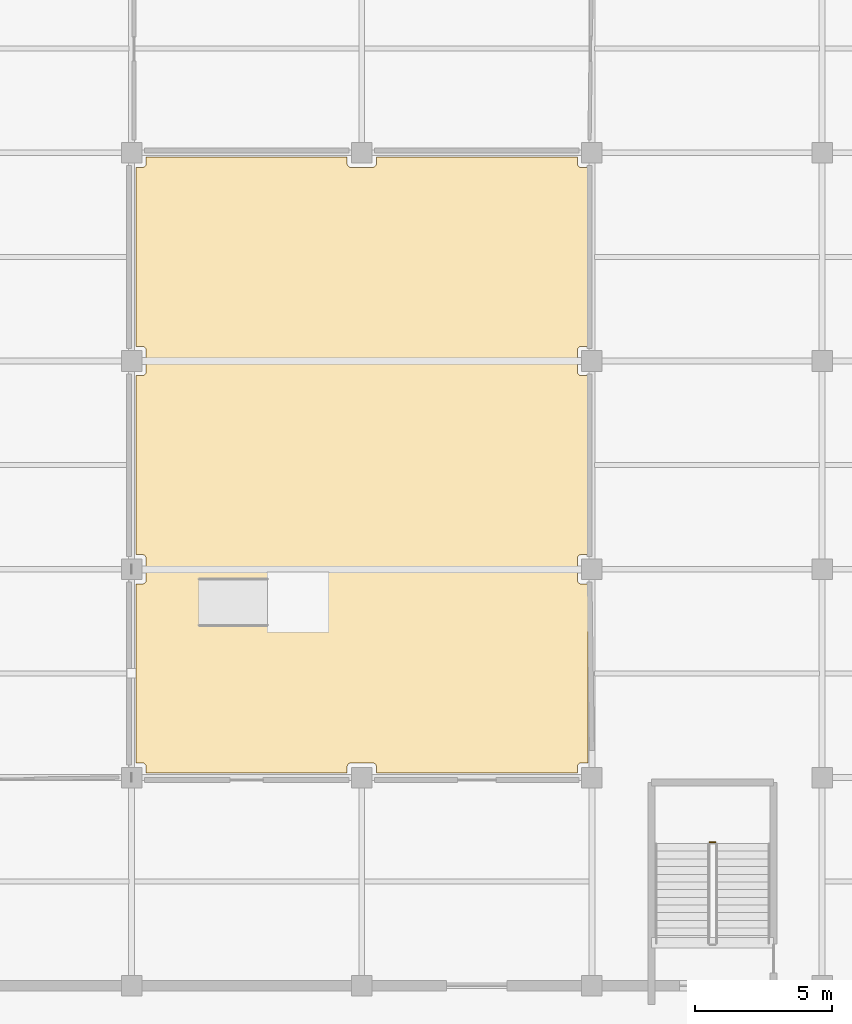
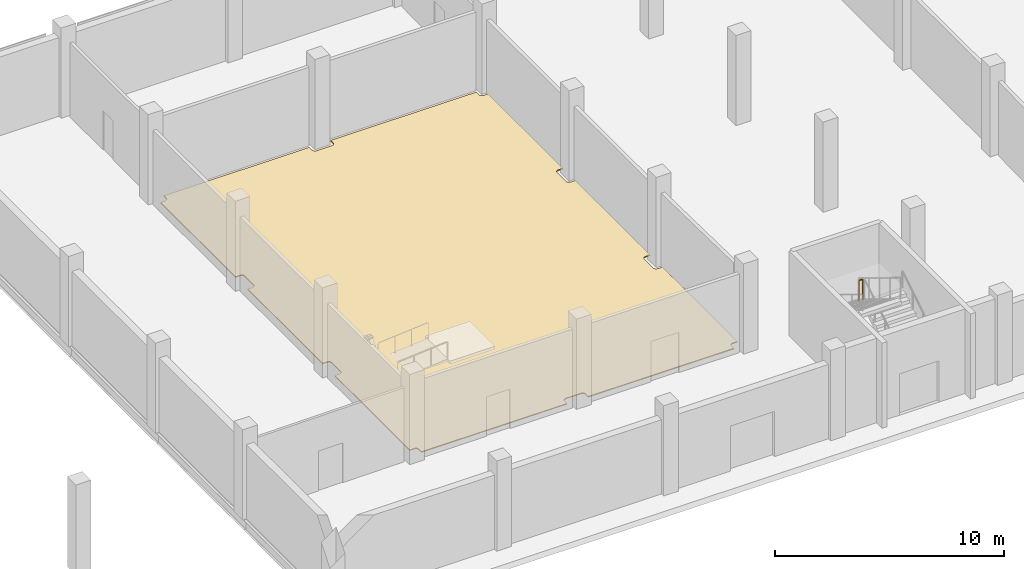
# One storey, part 35 of 36: 1 covering, 1 railing.
"""IFC4 building model written with IfcOpenShell, lengths in metres."""

import ifcopenshell
import ifcopenshell.guid

model = None  # the IFC model being written
_history = None  # IfcOwnerHistory: only IFC2X3 demands one
_inside = {}  # id of a spatial element -> (the spatial element, [elements in it])
_under = {}  # id of a project, library or spatial element -> (it, [spatial elements below it])
_declared = {}  # id of a project -> (the project, [libraries it declares])
_typed = {}  # id of a type object -> (the type object, [elements of that type])
_made_of = {}  # id of a material, layer set ... -> (it, [elements and type objects made of it])


def new_model(schema):
    """Start an empty IFC model of exactly this schema.

    Asked for "IFC4X3", IfcOpenShell would pick the latest addendum, in which some entities
    have other attributes; the version numbers below select the first issue.
    IFC2X3 requires an IfcOwnerHistory on every rooted entity: one is made here for all.
    """
    global model, _history
    if schema == "IFC4X3":
        model = ifcopenshell.file(schema_version=(4, 3, 0, 0))
    else:
        model = ifcopenshell.file(schema=schema)
    _inside.clear()
    _under.clear()
    _declared.clear()
    _typed.clear()
    _made_of.clear()
    _history = None
    if model.schema == "IFC2X3":
        org = make("IfcOrganization", Name="unknown")
        user = make(
            "IfcPersonAndOrganization",
            ThePerson=make("IfcPerson", FamilyName="unknown"),
            TheOrganization=org,
        )
        app = make(
            "IfcApplication",
            ApplicationDeveloper=org,
            Version="unknown",
            ApplicationFullName="unknown",
            ApplicationIdentifier="unknown",
        )
        _history = make(
            "IfcOwnerHistory",
            OwningUser=user,
            OwningApplication=app,
            ChangeAction="ADDED",
            CreationDate=0,
        )
    return model


def make(cls, **values):
    """One entity of the class cls with the attributes given. An attribute that is None is left unset."""
    return model.create_entity(
        cls, **{name: value for name, value in values.items() if value is not None}
    )


def rooted(cls, **values):
    """An entity with a GlobalId (a new one), such as an element, a storey or a relation."""
    return make(cls, GlobalId=ifcopenshell.guid.new(), OwnerHistory=_history, **values)


def si_unit(unit_type, name, prefix=None):
    """IfcSIUnit, for example si_unit("LENGTHUNIT", "METRE", prefix="MILLI")."""
    return make("IfcSIUnit", UnitType=unit_type, Prefix=prefix, Name=name)


def assignment(units):
    """IfcUnitAssignment: the units of a project."""
    return None if units is None else make("IfcUnitAssignment", Units=units)


def point(xyz):
    """IfcCartesianPoint."""
    return None if xyz is None else make("IfcCartesianPoint", Coordinates=xyz)


def direction(xyz):
    """IfcDirection."""
    return None if xyz is None else make("IfcDirection", DirectionRatios=xyz)


def frame(location, z_axis=None, x_axis=None):
    """IfcAxis2Placement3D, a coordinate frame: its origin and axes. An axis left out is left unset."""
    return make(
        "IfcAxis2Placement3D",
        Location=point(location),
        Axis=direction(z_axis),
        RefDirection=direction(x_axis),
    )


def frame_2d(location, x_axis=None):
    """IfcAxis2Placement2D, a coordinate frame in the plane: its origin and x axis."""
    return make(
        "IfcAxis2Placement2D", Location=point(location), RefDirection=direction(x_axis)
    )


def origin():
    """The frame at (0, 0, 0) with its axes left unset."""
    return frame((0.0, 0.0, 0.0))


def origin_2d():
    """The frame at (0, 0) in the plane with its x axis left unset."""
    return frame_2d((0.0, 0.0))


def place(relative_to, where):
    """IfcLocalPlacement: puts the frame where relative to a parent placement (None: the world)."""
    return make(
        "IfcLocalPlacement", PlacementRelTo=relative_to, RelativePlacement=where
    )


def context(
    kind, dimensions, precision=None, world=None, true_north=None, identifier=None
):
    """IfcGeometricRepresentationContext, for example the 3D "Model" context."""
    return make(
        "IfcGeometricRepresentationContext",
        ContextIdentifier=identifier,
        ContextType=kind,
        CoordinateSpaceDimension=dimensions,
        Precision=precision,
        WorldCoordinateSystem=world,
        TrueNorth=true_north,
    )


def subcontext(parent, identifier, kind, view, scale=None):
    """IfcGeometricRepresentationSubContext, for example "Body" below "Model"."""
    return make(
        "IfcGeometricRepresentationSubContext",
        ContextIdentifier=identifier,
        ContextType=kind,
        ParentContext=parent,
        TargetScale=scale,
        TargetView=view,
    )


def project(units=None, contexts=None):
    """IfcProject with its units and contexts."""
    return rooted(
        "IfcProject",
        Name="project",
        RepresentationContexts=contexts,
        UnitsInContext=assignment(units),
    )


def spatial(cls, under=None, at=None, **own):
    """A site, building, storey or space (cls), placed at a placement, below another one or the project."""
    s = rooted(cls, ObjectPlacement=at, **own)
    if under is not None:
        _under.setdefault(under.id(), (under, []))[1].append(s)
    return s


def polyline(points):
    """IfcPolyline through the points."""
    return make("IfcPolyline", Points=[point(p) for p in points])


def profile(cls, at=None, kind="AREA", **sizes):
    """A parametric profile (cls). Its sizes go by their IFC names, for example OverallWidth=200.0."""
    return make(cls, ProfileType=kind, Position=at, **sizes)


def circle(**sizes):
    """IfcCircleProfileDef."""
    return profile("IfcCircleProfileDef", **sizes)


def outline(outer, holes=None, kind="AREA"):
    """IfcArbitraryClosedProfileDef: a profile drawn as a closed curve; with holes, ...WithVoids."""
    if holes is None:
        return make("IfcArbitraryClosedProfileDef", ProfileType=kind, OuterCurve=outer)
    return make(
        "IfcArbitraryProfileDefWithVoids",
        ProfileType=kind,
        OuterCurve=outer,
        InnerCurves=holes,
    )


def extrude(swept, where, along, depth):
    """IfcExtrudedAreaSolid: the profile swept, set in the frame where, extruded along a direction by depth."""
    return make(
        "IfcExtrudedAreaSolid",
        SweptArea=swept,
        Position=where,
        ExtrudedDirection=direction(along),
        Depth=depth,
    )


def shape(context_of_items, identifier, shape_type, items):
    """IfcShapeRepresentation: the items that make up one representation, for example the "Body"."""
    return make(
        "IfcShapeRepresentation",
        ContextOfItems=context_of_items,
        RepresentationIdentifier=identifier,
        RepresentationType=shape_type,
        Items=items,
    )


def material(Name=None, Category=None):
    """IfcMaterial."""
    return make("IfcMaterial", Name=Name, Category=Category)


def layer(
    of_material, thickness, ventilated=None, Name=None, Category=None, Priority=None
):
    """IfcMaterialLayer: one layer of a wall or slab, of a material (None: an air gap)."""
    return make(
        "IfcMaterialLayer",
        Material=of_material,
        LayerThickness=thickness,
        IsVentilated=ventilated,
        Name=Name,
        Category=Category,
        Priority=Priority,
    )


def layer_set(layers, Name=None):
    """IfcMaterialLayerSet."""
    return make("IfcMaterialLayerSet", MaterialLayers=layers, LayerSetName=Name)


def made_of(thing, what):
    """Note that an element or type object is made of a material, layer set ...; save() writes the relation."""
    if what is not None:
        _made_of.setdefault(what.id(), (what, []))[1].append(thing)
    return thing


def type_object(cls, material=None, **own):
    """A type object (cls), such as IfcWallType, which elements share."""
    return made_of(rooted(cls, **own), material)


def element(
    cls,
    number,
    at=None,
    inside=None,
    cuts=None,
    type_object=None,
    material=None,
    context=None,
    identifier="Body",
    shape_type=None,
    held_by="IfcProductDefinitionShape",
    body=None,
    shapes=None,
    **own,
):
    """One element of the class cls, such as IfcWall. Its Tag is "e" and its number.

    at: its placement. inside: the storey or other place that contains it. cuts: it is an
    opening in that element (IfcRelVoidsElement). A single representation is given by context,
    identifier, shape_type and body (its items); several are given by shapes. held_by: the class
    of the entity that holds the representations. save() writes the other relations.
    """
    e = rooted(cls, Tag="e%d" % number, ObjectPlacement=at, **own)
    if body is not None:
        shapes = [shape(context, identifier, shape_type, body)]
    if shapes is not None:
        e.Representation = make(held_by, Representations=shapes)
    if inside is not None:
        _inside.setdefault(inside.id(), (inside, []))[1].append(e)
    if cuts is not None:
        rooted(
            "IfcRelVoidsElement", RelatingBuildingElement=cuts, RelatedOpeningElement=e
        )
    if type_object is not None:
        _typed.setdefault(type_object.id(), (type_object, []))[1].append(e)
    return made_of(e, material)


def aggregate(whole, parts):
    """IfcRelAggregates: a whole, such as a stair, and the parts it consists of."""
    return rooted("IfcRelAggregates", RelatingObject=whole, RelatedObjects=parts)


def save(model, path):
    """Write the relations noted so far, then the file.

    IfcRelAggregates (storeys below a building ...), IfcRelContainedInSpatialStructure (elements
    in a storey), IfcRelDefinesByType, IfcRelAssociatesMaterial and IfcRelDeclares: one each for
    every whole, place, type object, material and project.
    """
    for whole, parts in _under.values():
        aggregate(whole, parts)
    for where, things in _inside.values():
        rooted(
            "IfcRelContainedInSpatialStructure",
            RelatedElements=things,
            RelatingStructure=where,
        )
    for kind, things in _typed.values():
        rooted("IfcRelDefinesByType", RelatedObjects=things, RelatingType=kind)
    for what, things in _made_of.values():
        rooted("IfcRelAssociatesMaterial", RelatedObjects=things, RelatingMaterial=what)
    for by, libraries in _declared.values():
        rooted("IfcRelDeclares", RelatingContext=by, RelatedDefinitions=libraries)
    model.write(path)


model = new_model("IFC4")

# Units and contexts
model_context = context("Model", 3, precision=1e-05, world=origin(), true_north=direction((0.0, 1.0)))
body_context = subcontext(model_context, "Body", "Model", "MODEL_VIEW")
ifc_project = project(units=[si_unit("LENGTHUNIT", "METRE"), si_unit("AREAUNIT", "SQUARE_METRE"), si_unit("VOLUMEUNIT", "CUBIC_METRE"), si_unit("PLANEANGLEUNIT", "RADIAN"), si_unit("MASSUNIT", "GRAM", prefix="KILO")], contexts=[model_context])

# Site, building, storey
site_placement = place(None, origin())
site = spatial("IfcSite", under=ifc_project, at=site_placement, CompositionType="ELEMENT")
building_placement = place(site_placement, origin())
building = spatial("IfcBuilding", under=site, at=building_placement, Name="Zuvorla Pavilion Media Centre", CompositionType="ELEMENT")
storey_placement = place(building_placement, origin())
storey = spatial("IfcBuildingStorey", under=building, at=storey_placement, Name="L00", CompositionType="ELEMENT", Elevation=0.0)

# Covering
ifc_material_1 = material(Name="Floating resilient acoustic hardwood studio floor", Category="wood")
ifc_layer = layer(ifc_material_1, 0.050048828125)
ifc_layer_set = layer_set([ifc_layer], Name="Floating resilient acoustic hardwood studio floor")
covering_type = type_object("IfcCoveringType", Name="COV-FLR-ACOUST", PredefinedType="FLOORING", material=ifc_layer_set)
covering_placement = place(storey_placement, origin())
element("IfcCovering", 1, at=covering_placement, inside=storey, type_object=covering_type, Name="L00 acoustic studio floor 3", PredefinedType="FLOORING", context=body_context, shape_type="SweptSolid", body=[
    extrude(outline(polyline([(75.5849609375, 96.6650390625), (75.599609375, 96.665771484375), (75.6142578125, 96.66796875), (75.62841796875, 96.67138671875), (75.642333984375, 96.676513671875), (75.65576171875, 96.6826171875), (75.668212890625, 96.690185546875), (75.68017578125, 96.698974609375), (75.691162109375, 96.708984375), (75.700927734375, 96.7197265625), (75.709716796875, 96.731689453125), (75.71728515625, 96.744384765625), (75.7236328125, 96.757568359375), (75.728515625, 96.771484375), (75.732177734375, 96.78564453125), (75.734375, 96.80029296875), (75.735107421875, 96.81494140625), (75.735107421875, 97.5849609375), (75.734375, 97.599609375), (75.732177734375, 97.6142578125), (75.728515625, 97.62841796875), (75.7236328125, 97.642333984375), (75.71728515625, 97.65576171875), (75.709716796875, 97.668212890625), (75.700927734375, 97.68017578125), (75.691162109375, 97.691162109375), (75.68017578125, 97.700927734375), (75.668212890625, 97.709716796875), (75.65576171875, 97.71728515625), (75.642333984375, 97.7236328125), (75.62841796875, 97.728515625), (75.6142578125, 97.732177734375), (75.599609375, 97.734375), (75.5849609375, 97.735107421875), (75.360107421875, 97.735107421875), (75.360107421875, 104.264892578125), (75.5849609375, 104.264892578125), (75.599609375, 104.265625), (75.6142578125, 104.267822265625), (75.62841796875, 104.271484375), (75.642333984375, 104.2763671875), (75.65576171875, 104.28271484375), (75.668212890625, 104.290283203125), (75.68017578125, 104.299072265625), (75.691162109375, 104.308837890625), (75.700927734375, 104.31982421875), (75.709716796875, 104.331787109375), (75.71728515625, 104.34423828125), (75.7236328125, 104.357666015625), (75.728515625, 104.37158203125), (75.732177734375, 104.3857421875), (75.734375, 104.400390625), (75.735107421875, 104.4150390625), (75.735107421875, 105.18505859375), (75.734375, 105.19970703125), (75.732177734375, 105.21435546875), (75.728515625, 105.228515625), (75.7236328125, 105.242431640625), (75.71728515625, 105.255615234375), (75.709716796875, 105.268310546875), (75.700927734375, 105.2802734375), (75.691162109375, 105.291015625), (75.68017578125, 105.301025390625), (75.668212890625, 105.309814453125), (75.65576171875, 105.3173828125), (75.642333984375, 105.323486328125), (75.62841796875, 105.32861328125), (75.6142578125, 105.33203125), (75.599609375, 105.334228515625), (75.5849609375, 105.3349609375), (75.360107421875, 105.3349609375), (75.360107421875, 111.864990234375), (75.5849609375, 111.864990234375), (75.599609375, 111.86572265625), (75.6142578125, 111.867919921875), (75.62841796875, 111.87158203125), (75.642333984375, 111.87646484375), (75.65576171875, 111.8828125), (75.668212890625, 111.890380859375), (75.68017578125, 111.89892578125), (75.691162109375, 111.908935546875), (75.700927734375, 111.919921875), (75.709716796875, 111.931640625), (75.71728515625, 111.9443359375), (75.7236328125, 111.95751953125), (75.728515625, 111.971435546875), (75.732177734375, 111.985595703125), (75.734375, 112.000244140625), (75.735107421875, 112.014892578125), (75.735107421875, 112.239990234375), (83.06494140625, 112.239990234375), (83.06494140625, 112.014892578125), (83.065673828125, 112.000244140625), (83.06787109375, 111.985595703125), (83.071533203125, 111.971435546875), (83.076416015625, 111.95751953125), (83.082763671875, 111.9443359375), (83.09033203125, 111.931640625), (83.09912109375, 111.919921875), (83.10888671875, 111.908935546875), (83.119873046875, 111.89892578125), (83.131591796875, 111.890380859375), (83.144287109375, 111.8828125), (83.15771484375, 111.87646484375), (83.17138671875, 111.87158203125), (83.185791015625, 111.867919921875), (83.2001953125, 111.86572265625), (83.215087890625, 111.864990234375), (83.985107421875, 111.864990234375), (83.999755859375, 111.86572265625), (84.014404296875, 111.867919921875), (84.028564453125, 111.87158203125), (84.04248046875, 111.87646484375), (84.0556640625, 111.8828125), (84.068359375, 111.890380859375), (84.080078125, 111.89892578125), (84.091064453125, 111.908935546875), (84.10107421875, 111.919921875), (84.109619140625, 111.931640625), (84.1171875, 111.9443359375), (84.12353515625, 111.95751953125), (84.12841796875, 111.971435546875), (84.132080078125, 111.985595703125), (84.13427734375, 112.000244140625), (84.135009765625, 112.014892578125), (84.135009765625, 112.239990234375), (91.465087890625, 112.239990234375), (91.465087890625, 112.014892578125), (91.4658203125, 112.000244140625), (91.468017578125, 111.985595703125), (91.471435546875, 111.971435546875), (91.476318359375, 111.95751953125), (91.482666015625, 111.9443359375), (91.490234375, 111.931640625), (91.4990234375, 111.919921875), (91.5087890625, 111.908935546875), (91.519775390625, 111.89892578125), (91.53173828125, 111.890380859375), (91.544189453125, 111.8828125), (91.5576171875, 111.87646484375), (91.571533203125, 111.87158203125), (91.585693359375, 111.867919921875), (91.600341796875, 111.86572265625), (91.614990234375, 111.864990234375), (91.85009765625, 111.864990234375), (91.85009765625, 105.3349609375), (91.614990234375, 105.3349609375), (91.600341796875, 105.334228515625), (91.585693359375, 105.33203125), (91.571533203125, 105.32861328125), (91.5576171875, 105.323486328125), (91.544189453125, 105.3173828125), (91.53173828125, 105.309814453125), (91.519775390625, 105.301025390625), (91.5087890625, 105.291015625), (91.4990234375, 105.2802734375), (91.490234375, 105.268310546875), (91.482666015625, 105.255615234375), (91.476318359375, 105.242431640625), (91.471435546875, 105.228515625), (91.468017578125, 105.21435546875), (91.4658203125, 105.19970703125), (91.465087890625, 105.18505859375), (91.465087890625, 104.4150390625), (91.4658203125, 104.400390625), (91.468017578125, 104.3857421875), (91.471435546875, 104.37158203125), (91.476318359375, 104.357666015625), (91.482666015625, 104.34423828125), (91.490234375, 104.331787109375), (91.4990234375, 104.31982421875), (91.5087890625, 104.308837890625), (91.519775390625, 104.299072265625), (91.53173828125, 104.290283203125), (91.544189453125, 104.28271484375), (91.5576171875, 104.2763671875), (91.571533203125, 104.271484375), (91.585693359375, 104.267822265625), (91.600341796875, 104.265625), (91.614990234375, 104.264892578125), (91.85009765625, 104.264892578125), (91.85009765625, 97.735107421875), (91.614990234375, 97.735107421875), (91.600341796875, 97.734375), (91.585693359375, 97.732177734375), (91.571533203125, 97.728515625), (91.5576171875, 97.7236328125), (91.544189453125, 97.71728515625), (91.53173828125, 97.709716796875), (91.519775390625, 97.700927734375), (91.5087890625, 97.691162109375), (91.4990234375, 97.68017578125), (91.490234375, 97.668212890625), (91.482666015625, 97.65576171875), (91.476318359375, 97.642333984375), (91.471435546875, 97.62841796875), (91.468017578125, 97.6142578125), (91.4658203125, 97.599609375), (91.465087890625, 97.5849609375), (91.465087890625, 96.81494140625), (91.4658203125, 96.80029296875), (91.468017578125, 96.78564453125), (91.471435546875, 96.771484375), (91.476318359375, 96.757568359375), (91.482666015625, 96.744384765625), (91.490234375, 96.731689453125), (91.4990234375, 96.7197265625), (91.5087890625, 96.708984375), (91.519775390625, 96.698974609375), (91.53173828125, 96.690185546875), (91.544189453125, 96.6826171875), (91.5576171875, 96.676513671875), (91.571533203125, 96.67138671875), (91.585693359375, 96.66796875), (91.600341796875, 96.665771484375), (91.614990234375, 96.6650390625), (91.85009765625, 96.6650390625), (91.85009765625, 90.135009765625), (91.614990234375, 90.135009765625), (91.600341796875, 90.13427734375), (91.585693359375, 90.132080078125), (91.571533203125, 90.12841796875), (91.5576171875, 90.12353515625), (91.544189453125, 90.1171875), (91.53173828125, 90.109619140625), (91.519775390625, 90.10107421875), (91.5087890625, 90.091064453125), (91.4990234375, 90.080078125), (91.490234375, 90.068359375), (91.482666015625, 90.0556640625), (91.476318359375, 90.04248046875), (91.471435546875, 90.028564453125), (91.468017578125, 90.014404296875), (91.4658203125, 89.999755859375), (91.465087890625, 89.985107421875), (91.465087890625, 89.760009765625), (84.135009765625, 89.760009765625), (84.135009765625, 89.985107421875), (84.13427734375, 89.999755859375), (84.132080078125, 90.014404296875), (84.12841796875, 90.028564453125), (84.12353515625, 90.04248046875), (84.1171875, 90.0556640625), (84.109619140625, 90.068359375), (84.10107421875, 90.080078125), (84.091064453125, 90.091064453125), (84.080078125, 90.10107421875), (84.068359375, 90.109619140625), (84.0556640625, 90.1171875), (84.04248046875, 90.12353515625), (84.028564453125, 90.12841796875), (84.014404296875, 90.132080078125), (83.999755859375, 90.13427734375), (83.985107421875, 90.135009765625), (83.215087890625, 90.135009765625), (83.2001953125, 90.13427734375), (83.185791015625, 90.132080078125), (83.17138671875, 90.12841796875), (83.15771484375, 90.12353515625), (83.144287109375, 90.1171875), (83.131591796875, 90.109619140625), (83.119873046875, 90.10107421875), (83.10888671875, 90.091064453125), (83.09912109375, 90.080078125), (83.09033203125, 90.068359375), (83.082763671875, 90.0556640625), (83.076416015625, 90.04248046875), (83.071533203125, 90.028564453125), (83.06787109375, 90.014404296875), (83.065673828125, 89.999755859375), (83.06494140625, 89.985107421875), (83.06494140625, 89.760009765625), (75.735107421875, 89.760009765625), (75.735107421875, 89.985107421875), (75.734375, 89.999755859375), (75.732177734375, 90.014404296875), (75.728515625, 90.028564453125), (75.7236328125, 90.04248046875), (75.71728515625, 90.0556640625), (75.709716796875, 90.068359375), (75.700927734375, 90.080078125), (75.691162109375, 90.091064453125), (75.68017578125, 90.10107421875), (75.668212890625, 90.109619140625), (75.65576171875, 90.1171875), (75.642333984375, 90.12353515625), (75.62841796875, 90.12841796875), (75.6142578125, 90.132080078125), (75.599609375, 90.13427734375), (75.5849609375, 90.135009765625), (75.360107421875, 90.135009765625), (75.360107421875, 96.6650390625), (75.5849609375, 96.6650390625)])), origin(), (0.0, 0.0, 1.0), 0.050048828125),
])

# Railing
ifc_material_2 = material(Name="Powder-coated steel balustrade guard", Category="steel")
railing_type = type_object("IfcRailingType", Name="RL-INT-GRD", PredefinedType="BALUSTRADE", material=ifc_material_2)
railing_placement = place(storey_placement, frame((96.5, 87.239990234375, 2.39990234375)))
element("IfcRailing", 2, at=railing_placement, inside=storey, type_object=railing_type, Name="L00 ST-05 stair guard 2", PredefinedType="BALUSTRADE", context=body_context, shape_type="SweptSolid", body=[
    extrude(circle(Radius=0.02392578125, at=origin_2d()), frame((-0.02880859375, 0.0, 1.09619140625), z_axis=(-1.0, 0.0, 0.0), x_axis=(0.0, -1.0, 0.0)), (0.0, 0.0, 1.0), 0.142333984375),
    extrude(circle(Radius=0.02099609375, at=origin_2d()), origin(), (0.0, 0.0, 1.0), 1.070068359375),
    extrude(circle(Radius=0.02099609375, at=origin_2d()), frame((-0.199951171875, 0.0, 0.0)), (0.0, 0.0, 1.0), 1.070068359375),
])

save(model, "model.ifc")
